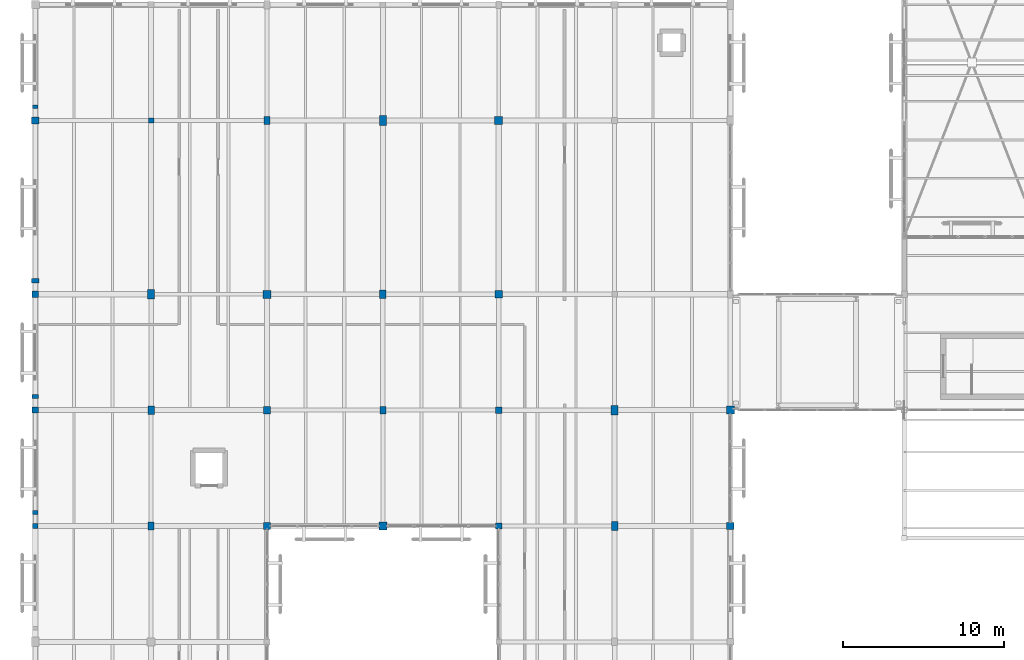
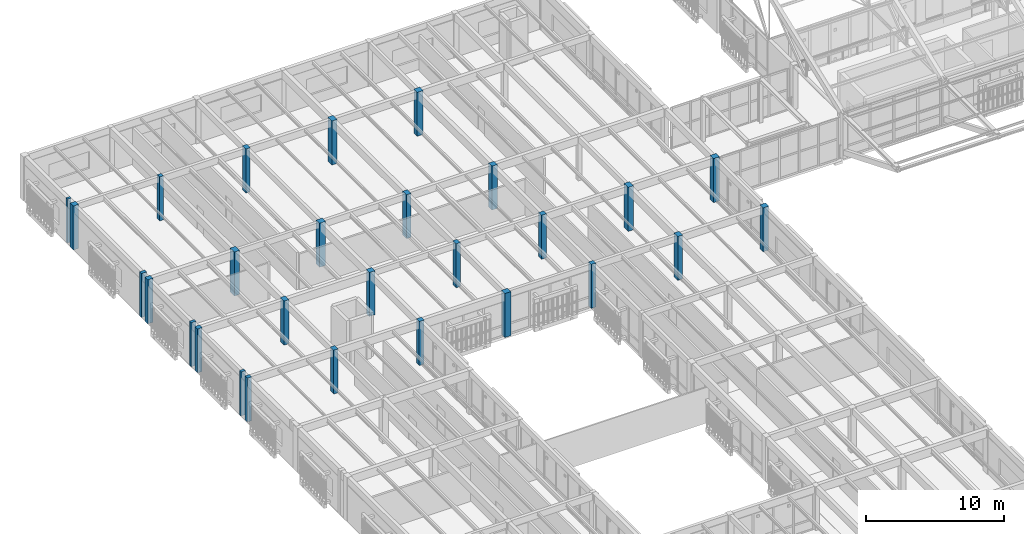
# One storey, part 7 of 217: 28 columns.
"""IFC4 building model written with IfcOpenShell, lengths in metres."""

from ifc_helpers import new_model, si_unit, direction, frame, origin, origin_2d, place, context, subcontext, project, spatial, rectangle, extrude, material, material_profile, profile_set, type_object, element, save


model = new_model("IFC4")

# Units and contexts
model_context = context("Model", 3, precision=1e-05, world=origin(), true_north=direction((0.0, 1.0)))
body_context = subcontext(model_context, "Body", "Model", "MODEL_VIEW")
ifc_project = project(units=[si_unit("LENGTHUNIT", "METRE"), si_unit("AREAUNIT", "SQUARE_METRE"), si_unit("VOLUMEUNIT", "CUBIC_METRE"), si_unit("PLANEANGLEUNIT", "RADIAN"), si_unit("MASSUNIT", "GRAM", prefix="KILO")], contexts=[model_context])

# Site, building, storey
site_placement = place(None, origin())
site = spatial("IfcSite", under=ifc_project, at=site_placement, CompositionType="ELEMENT")
building_placement = place(site_placement, origin())
building = spatial("IfcBuilding", under=site, at=building_placement, Name="Mazaris Harbour Polytechnic", CompositionType="ELEMENT")
storey_placement = place(building_placement, frame((0.0, 0.0, 9.60009765625)))
storey = spatial("IfcBuildingStorey", under=building, at=storey_placement, Name="L02", CompositionType="ELEMENT", Elevation=9.60009765625)

# Columns
ifc_material_1 = material(Name="Glulam GL28h", Category="wood")
ifc_material_profile_1 = material_profile(ifc_material_1, rectangle(XDim=0.340087890625, YDim=0.340087890625, at=origin_2d()), Name="RECT340x340")
ifc_profile_set_1 = profile_set([ifc_material_profile_1], Name="Glulam GL28h")
column_type_1 = type_object("IfcColumnType", Name="Glulam Column 340x340", PredefinedType="COLUMN", material=ifc_profile_set_1)
column_1_placement = place(storey_placement, frame((7.199951171875, 93.60009765625, 0.0), z_axis=(0.0, 0.0, 1.0), x_axis=(1.0, 0.0, 0.0)))
element("IfcColumn", 1, at=column_1_placement, inside=storey, type_object=column_type_1, Name="V4 L02 Column 840", PredefinedType="COLUMN", context=body_context, shape_type="SweptSolid", body=[
    extrude(rectangle(XDim=0.340087890625, YDim=0.340087890625, at=origin_2d()), origin(), (0.0, 0.0, 1.0), 3.889892578125),
])
ifc_material_2 = material(Name="Glulam GL28h", Category="wood")
ifc_material_profile_2 = material_profile(ifc_material_2, rectangle(XDim=0.340087890625, YDim=0.340087890625, at=origin_2d()), Name="RECT340x340")
ifc_profile_set_2 = profile_set([ifc_material_profile_2], Name="Glulam GL28h")
column_type_2 = type_object("IfcColumnType", Name="Glulam Column 340x340 Exterior", PredefinedType="COLUMN", material=ifc_profile_set_2)
column_2_placement = place(storey_placement, frame((0.0, 68.39990234375, 0.0), z_axis=(0.0, 0.0, 1.0), x_axis=(1.0, 0.0, 0.0)))
element("IfcColumn", 2, at=column_2_placement, inside=storey, type_object=column_type_2, Name="V4 L02 Column 824", PredefinedType="COLUMN", context=body_context, shape_type="SweptSolid", body=[
    extrude(rectangle(XDim=0.340087890625, YDim=0.340087890625, at=origin_2d()), origin(), (0.0, 0.0, 1.0), 3.889892578125),
])
ifc_material_3 = material(Name="Glulam GL28h", Category="wood")
ifc_material_profile_3 = material_profile(ifc_material_3, rectangle(XDim=0.360107421875, YDim=0.47998046875, at=origin_2d()), Name="RECT360x480")
ifc_profile_set_3 = profile_set([ifc_material_profile_3], Name="Glulam GL28h")
column_type_3 = type_object("IfcColumnType", Name="Glulam Column 360x480", PredefinedType="COLUMN", material=ifc_profile_set_3)
for number, where, z_axis, x_axis, name in (
    (3, (7.199951171875, 68.39990234375, 0.0), (0.0, 0.0, 1.0), (1.0, 0.0, 0.0), "V4 L02 Column 837"),
    (4, (14.39990234375, 93.60009765625, 0.0), (0.0, 0.0, 1.0), (1.0, 0.0, 0.0), "V4 L02 Column 853"),
    (5, (21.60009765625, 75.60009765625, 0.0), (0.0, 0.0, 1.0), (1.0, 0.0, 0.0), "V4 L02 Column 861"),
):
    element("IfcColumn", number, at=place(storey_placement, frame(where, z_axis=z_axis, x_axis=x_axis)), inside=storey, type_object=column_type_3, Name=name, PredefinedType="COLUMN", context=body_context, shape_type="SweptSolid", body=[
        extrude(rectangle(XDim=0.360107421875, YDim=0.47998046875, at=origin_2d()), origin(), (0.0, 0.0, 1.0), 3.889892578125),
    ])
ifc_material_4 = material(Name="Glulam GL28h", Category="wood")
ifc_material_profile_4 = material_profile(ifc_material_4, rectangle(XDim=0.3798828125, YDim=0.3798828125, at=origin_2d()), Name="RECT380x380")
ifc_profile_set_4 = profile_set([ifc_material_profile_4], Name="Glulam GL28h")
column_type_4 = type_object("IfcColumnType", Name="Glulam Column 380x380", PredefinedType="COLUMN", material=ifc_profile_set_4)
column_3_placement = place(storey_placement, frame((28.800048828125, 68.39990234375, 0.0), z_axis=(0.0, 0.0, 1.0), x_axis=(1.0, 0.0, 0.0)))
element("IfcColumn", 6, at=column_3_placement, inside=storey, type_object=column_type_4, Name="V4 L02 Column 873", PredefinedType="COLUMN", context=body_context, shape_type="SweptSolid", body=[
    extrude(rectangle(XDim=0.3798828125, YDim=0.3798828125, at=origin_2d()), origin(), (0.0, 0.0, 1.0), 3.889892578125),
])
ifc_material_5 = material(Name="Glulam GL28h", Category="wood")
ifc_material_profile_5 = material_profile(ifc_material_5, rectangle(XDim=0.3798828125, YDim=0.3798828125, at=origin_2d()), Name="RECT380x380")
ifc_profile_set_5 = profile_set([ifc_material_profile_5], Name="Glulam GL28h")
column_type_5 = type_object("IfcColumnType", Name="Glulam Column 380x380 Exterior", PredefinedType="COLUMN", material=ifc_profile_set_5)
column_4_placement = place(storey_placement, frame((0.0, 75.60009765625, 0.0), z_axis=(0.0, 0.0, 1.0), x_axis=(1.0, 0.0, 0.0)))
element("IfcColumn", 7, at=column_4_placement, inside=storey, type_object=column_type_5, Name="V4 L02 Column 825", PredefinedType="COLUMN", context=body_context, shape_type="SweptSolid", body=[
    extrude(rectangle(XDim=0.3798828125, YDim=0.3798828125, at=origin_2d()), origin(), (0.0, 0.0, 1.0), 3.889892578125),
])
ifc_material_6 = material(Name="Glulam GL28h", Category="wood")
ifc_material_profile_6 = material_profile(ifc_material_6, rectangle(XDim=0.39990234375, YDim=0.5400390625, at=origin_2d()), Name="RECT400x540")
ifc_profile_set_6 = profile_set([ifc_material_profile_6], Name="Glulam GL28h")
column_type_6 = type_object("IfcColumnType", Name="Glulam Column 400x540", PredefinedType="COLUMN", material=ifc_profile_set_6)
for number, where, z_axis, x_axis, name in (
    (8, (7.199951171875, 75.60009765625, 0.0), (0.0, 0.0, 1.0), (1.0, 0.0, 0.0), "V4 L02 Column 838"),
    (9, (21.60009765625, 82.800048828125, 0.0), (0.0, 0.0, 1.0), (1.0, 0.0, 0.0), "V4 L02 Column 862"),
    (10, (36.0, 68.39990234375, 0.0), (0.0, 0.0, 1.0), (1.0, 0.0, 0.0), "V4 L02 Column 886"),
):
    element("IfcColumn", number, at=place(storey_placement, frame(where, z_axis=z_axis, x_axis=x_axis)), inside=storey, type_object=column_type_6, Name=name, PredefinedType="COLUMN", context=body_context, shape_type="SweptSolid", body=[
        extrude(rectangle(XDim=0.39990234375, YDim=0.5400390625, at=origin_2d()), origin(), (0.0, 0.0, 1.0), 3.889892578125),
    ])
ifc_material_7 = material(Name="Glulam GL28h", Category="wood")
ifc_material_profile_7 = material_profile(ifc_material_7, rectangle(XDim=0.419921875, YDim=0.419921875, at=origin_2d()), Name="RECT420x420")
ifc_profile_set_7 = profile_set([ifc_material_profile_7], Name="Glulam GL28h")
column_type_7 = type_object("IfcColumnType", Name="Glulam Column 420x420", PredefinedType="COLUMN", material=ifc_profile_set_7)
for number, where, z_axis, x_axis, name in (
    (11, (14.39990234375, 68.39990234375, 0.0), (0.0, 0.0, 1.0), (1.0, 0.0, 0.0), "V4 L02 Column 850"),
    (12, (28.800048828125, 75.60009765625, 0.0), (0.0, 0.0, 1.0), (1.0, 0.0, 0.0), "V4 L02 Column 874"),
):
    element("IfcColumn", number, at=place(storey_placement, frame(where, z_axis=z_axis, x_axis=x_axis)), inside=storey, type_object=column_type_7, Name=name, PredefinedType="COLUMN", context=body_context, shape_type="SweptSolid", body=[
        extrude(rectangle(XDim=0.419921875, YDim=0.419921875, at=origin_2d()), origin(), (0.0, 0.0, 1.0), 3.889892578125),
    ])
ifc_material_8 = material(Name="Glulam GL28h", Category="wood")
ifc_material_profile_8 = material_profile(ifc_material_8, rectangle(XDim=0.419921875, YDim=0.419921875, at=origin_2d()), Name="RECT420x420")
ifc_profile_set_8 = profile_set([ifc_material_profile_8], Name="Glulam GL28h")
column_type_8 = type_object("IfcColumnType", Name="Glulam Column 420x420 Exterior", PredefinedType="COLUMN", material=ifc_profile_set_8)
column_5_placement = place(storey_placement, frame((0.0, 82.800048828125, 0.0), z_axis=(0.0, 0.0, 1.0), x_axis=(1.0, 0.0, 0.0)))
element("IfcColumn", 13, at=column_5_placement, inside=storey, type_object=column_type_8, Name="V4 L02 Column 826", PredefinedType="COLUMN", context=body_context, shape_type="SweptSolid", body=[
    extrude(rectangle(XDim=0.419921875, YDim=0.419921875, at=origin_2d()), origin(), (0.0, 0.0, 1.0), 3.889892578125),
])
ifc_material_9 = material(Name="Glulam GL28h", Category="wood")
ifc_material_profile_9 = material_profile(ifc_material_9, rectangle(XDim=0.43994140625, YDim=0.60009765625, at=origin_2d()), Name="RECT440x600")
ifc_profile_set_9 = profile_set([ifc_material_profile_9], Name="Glulam GL28h")
column_type_9 = type_object("IfcColumnType", Name="Glulam Column 440x600", PredefinedType="COLUMN", material=ifc_profile_set_9)
for number, where, z_axis, x_axis, name in (
    (14, (7.199951171875, 82.800048828125, 0.0), (0.0, 0.0, 1.0), (1.0, 0.0, 0.0), "V4 L02 Column 839"),
    (15, (21.60009765625, 93.60009765625, 0.0), (0.0, 0.0, 1.0), (1.0, 0.0, 0.0), "V4 L02 Column 863"),
    (16, (36.0, 75.60009765625, 0.0), (0.0, 0.0, 1.0), (1.0, 0.0, 0.0), "V4 L02 Column 887"),
):
    element("IfcColumn", number, at=place(storey_placement, frame(where, z_axis=z_axis, x_axis=x_axis)), inside=storey, type_object=column_type_9, Name=name, PredefinedType="COLUMN", context=body_context, shape_type="SweptSolid", body=[
        extrude(rectangle(XDim=0.43994140625, YDim=0.60009765625, at=origin_2d()), origin(), (0.0, 0.0, 1.0), 3.889892578125),
    ])
ifc_material_10 = material(Name="Glulam GL28h", Category="wood")
ifc_material_profile_10 = material_profile(ifc_material_10, rectangle(XDim=0.4599609375, YDim=0.4599609375, at=origin_2d()), Name="RECT460x460")
ifc_profile_set_10 = profile_set([ifc_material_profile_10], Name="Glulam GL28h")
column_type_10 = type_object("IfcColumnType", Name="Glulam Column 460x460", PredefinedType="COLUMN", material=ifc_profile_set_10)
for number, where, z_axis, x_axis, name in (
    (17, (14.39990234375, 75.60009765625, 0.0), (0.0, 0.0, 1.0), (1.0, 0.0, 0.0), "V4 L02 Column 851"),
    (18, (28.800048828125, 82.800048828125, 0.0), (0.0, 0.0, 1.0), (1.0, 0.0, 0.0), "V4 L02 Column 875"),
):
    element("IfcColumn", number, at=place(storey_placement, frame(where, z_axis=z_axis, x_axis=x_axis)), inside=storey, type_object=column_type_10, Name=name, PredefinedType="COLUMN", context=body_context, shape_type="SweptSolid", body=[
        extrude(rectangle(XDim=0.4599609375, YDim=0.4599609375, at=origin_2d()), origin(), (0.0, 0.0, 1.0), 3.889892578125),
    ])
ifc_material_11 = material(Name="Glulam GL28h", Category="wood")
ifc_material_profile_11 = material_profile(ifc_material_11, rectangle(XDim=0.4599609375, YDim=0.4599609375, at=origin_2d()), Name="RECT460x460")
ifc_profile_set_11 = profile_set([ifc_material_profile_11], Name="Glulam GL28h")
column_type_11 = type_object("IfcColumnType", Name="Glulam Column 460x460 Exterior", PredefinedType="COLUMN", material=ifc_profile_set_11)
for number, where, z_axis, x_axis, name in (
    (19, (0.0, 93.60009765625, 0.0), (0.0, 0.0, 1.0), (1.0, 0.0, 0.0), "V4 L02 Column 827"),
    (20, (43.199951171875, 68.39990234375, 0.0), (0.0, 0.0, 1.0), (1.0, 0.0, 0.0), "V4 L02 Column 899"),
):
    element("IfcColumn", number, at=place(storey_placement, frame(where, z_axis=z_axis, x_axis=x_axis)), inside=storey, type_object=column_type_11, Name=name, PredefinedType="COLUMN", context=body_context, shape_type="SweptSolid", body=[
        extrude(rectangle(XDim=0.4599609375, YDim=0.4599609375, at=origin_2d()), origin(), (0.0, 0.0, 1.0), 3.889892578125),
    ])
ifc_material_12 = material(Name="Glulam GL28h", Category="wood")
ifc_material_profile_12 = material_profile(ifc_material_12, rectangle(XDim=0.5, YDim=0.5, at=origin_2d()), Name="RECT500x500")
ifc_profile_set_12 = profile_set([ifc_material_profile_12], Name="Glulam GL28h")
column_type_12 = type_object("IfcColumnType", Name="Glulam Column 500x500", PredefinedType="COLUMN", material=ifc_profile_set_12)
for number, where, z_axis, x_axis, name in (
    (21, (14.39990234375, 82.800048828125, 0.0), (0.0, 0.0, 1.0), (1.0, 0.0, 0.0), "V4 L02 Column 852"),
    (22, (21.60009765625, 68.39990234375, 0.0), (0.0, 0.0, 1.0), (1.0, 0.0, 0.0), "V4 L02 Column 860"),
    (23, (28.800048828125, 93.60009765625, 0.0), (0.0, 0.0, 1.0), (1.0, 0.0, 0.0), "V4 L02 Column 876"),
):
    element("IfcColumn", number, at=place(storey_placement, frame(where, z_axis=z_axis, x_axis=x_axis)), inside=storey, type_object=column_type_12, Name=name, PredefinedType="COLUMN", context=body_context, shape_type="SweptSolid", body=[
        extrude(rectangle(XDim=0.5, YDim=0.5, at=origin_2d()), origin(), (0.0, 0.0, 1.0), 3.889892578125),
    ])
ifc_material_13 = material(Name="Glulam GL28h", Category="wood")
ifc_material_profile_13 = material_profile(ifc_material_13, rectangle(XDim=0.5, YDim=0.5, at=origin_2d()), Name="RECT500x500")
ifc_profile_set_13 = profile_set([ifc_material_profile_13], Name="Glulam GL28h")
column_type_13 = type_object("IfcColumnType", Name="Glulam Column 500x500 Exterior", PredefinedType="COLUMN", material=ifc_profile_set_13)
column_6_placement = place(storey_placement, frame((43.199951171875, 75.60009765625, 0.0), z_axis=(0.0, 0.0, 1.0), x_axis=(1.0, 0.0, 0.0)))
element("IfcColumn", 24, at=column_6_placement, inside=storey, type_object=column_type_13, Name="V4 L02 Column 900", PredefinedType="COLUMN", context=body_context, shape_type="SweptSolid", body=[
    extrude(rectangle(XDim=0.5, YDim=0.5, at=origin_2d()), origin(), (0.0, 0.0, 1.0), 3.889892578125),
])
ifc_material_14 = material(Name="Concrete C35/45", Category="concrete")
ifc_material_profile_14 = material_profile(ifc_material_14, rectangle(XDim=0.320068359375, YDim=0.219970703125, at=origin_2d()), Name="RECT320x220")
ifc_profile_set_14 = profile_set([ifc_material_profile_14], Name="Concrete C35/45")
column_type_14 = type_object("IfcColumnType", Name="Limestone Pilaster 320x220", PredefinedType="PILASTER", material=ifc_profile_set_14)
column_7_placement = place(storey_placement, frame((0.0, 94.449951171875, 0.0), z_axis=(0.0, 0.0, 1.0), x_axis=(1.0, 0.0, 0.0)))
element("IfcColumn", 25, at=column_7_placement, inside=storey, type_object=column_type_14, Name="V4 L02 Giant Order Pilaster 48", PredefinedType="PILASTER", context=body_context, shape_type="SweptSolid", body=[
    extrude(rectangle(XDim=0.320068359375, YDim=0.219970703125, at=origin_2d()), origin(), (0.0, 0.0, 1.0), 3.889892578125),
])
ifc_material_15 = material(Name="Concrete C35/45", Category="concrete")
ifc_material_profile_15 = material_profile(ifc_material_15, rectangle(XDim=0.360107421875, YDim=0.239990234375, at=origin_2d()), Name="RECT360x240")
ifc_profile_set_15 = profile_set([ifc_material_profile_15], Name="Concrete C35/45")
column_type_15 = type_object("IfcColumnType", Name="Limestone Pilaster 360x240", PredefinedType="PILASTER", material=ifc_profile_set_15)
column_8_placement = place(storey_placement, frame((0.0, 69.25, 0.0), z_axis=(0.0, 0.0, 1.0), x_axis=(1.0, 0.0, 0.0)))
element("IfcColumn", 26, at=column_8_placement, inside=storey, type_object=column_type_15, Name="V4 L02 Giant Order Pilaster 45", PredefinedType="PILASTER", context=body_context, shape_type="SweptSolid", body=[
    extrude(rectangle(XDim=0.360107421875, YDim=0.239990234375, at=origin_2d()), origin(), (0.0, 0.0, 1.0), 3.889892578125),
])
ifc_material_16 = material(Name="Concrete C35/45", Category="concrete")
ifc_material_profile_16 = material_profile(ifc_material_16, rectangle(XDim=0.39990234375, YDim=0.260009765625, at=origin_2d()), Name="RECT400x260")
ifc_profile_set_16 = profile_set([ifc_material_profile_16], Name="Concrete C35/45")
column_type_16 = type_object("IfcColumnType", Name="Limestone Pilaster 400x260", PredefinedType="PILASTER", material=ifc_profile_set_16)
column_9_placement = place(storey_placement, frame((0.0, 76.449951171875, 0.0), z_axis=(0.0, 0.0, 1.0), x_axis=(1.0, 0.0, 0.0)))
element("IfcColumn", 27, at=column_9_placement, inside=storey, type_object=column_type_16, Name="V4 L02 Giant Order Pilaster 46", PredefinedType="PILASTER", context=body_context, shape_type="SweptSolid", body=[
    extrude(rectangle(XDim=0.39990234375, YDim=0.260009765625, at=origin_2d()), origin(), (0.0, 0.0, 1.0), 3.889892578125),
])
ifc_material_17 = material(Name="Concrete C35/45", Category="concrete")
ifc_material_profile_17 = material_profile(ifc_material_17, rectangle(XDim=0.43994140625, YDim=0.280029296875, at=origin_2d()), Name="RECT440x280")
ifc_profile_set_17 = profile_set([ifc_material_profile_17], Name="Concrete C35/45")
column_type_17 = type_object("IfcColumnType", Name="Limestone Pilaster 440x280", PredefinedType="PILASTER", material=ifc_profile_set_17)
column_10_placement = place(storey_placement, frame((0.0, 83.64990234375, 0.0), z_axis=(0.0, 0.0, 1.0), x_axis=(1.0, 0.0, 0.0)))
element("IfcColumn", 28, at=column_10_placement, inside=storey, type_object=column_type_17, Name="V4 L02 Giant Order Pilaster 47", PredefinedType="PILASTER", context=body_context, shape_type="SweptSolid", body=[
    extrude(rectangle(XDim=0.43994140625, YDim=0.280029296875, at=origin_2d()), origin(), (0.0, 0.0, 1.0), 3.889892578125),
])

save(model, "model.ifc")
